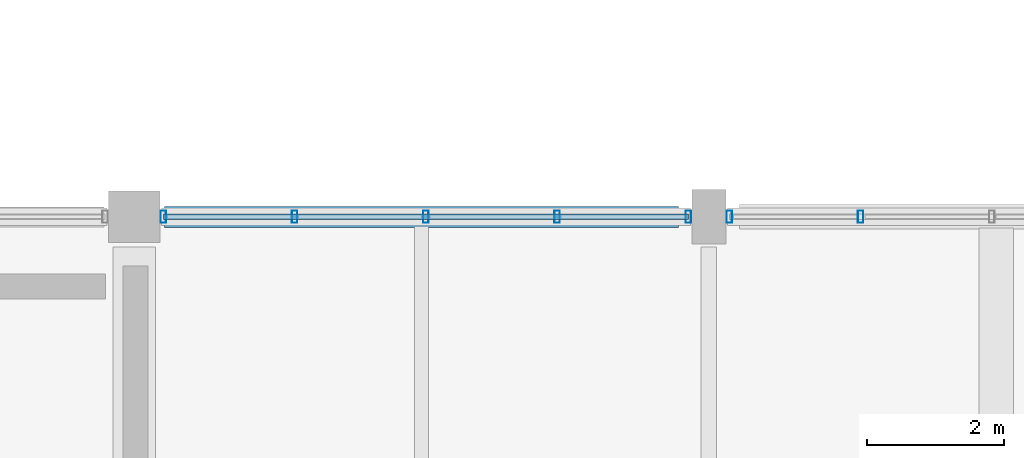
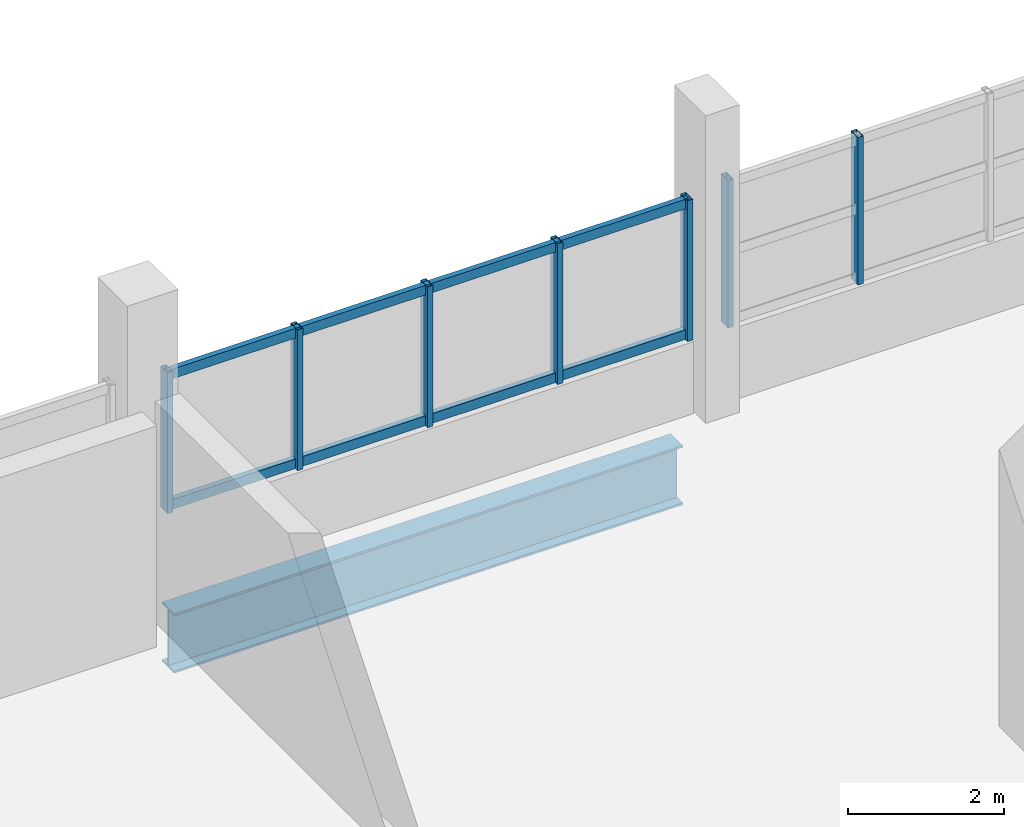
# One storey, part 70 of 117: 9 members, 1 beam, 2 elements without a shape of their own.
"""IFC4 building model written with IfcOpenShell, lengths in metres."""

from ifc_helpers import new_model, si_unit, direction, frame, origin, origin_2d, place, context, subcontext, project, spatial, hollow_rectangle, i_section, extrude, material, material_profile, profile_set, type_object, element, aggregate, save


model = new_model("IFC4")

# Units and contexts
model_context = context("Model", 3, precision=1e-05, world=origin(), true_north=direction((0.0, 1.0)))
body_context = subcontext(model_context, "Body", "Model", "MODEL_VIEW")
ifc_project = project(units=[si_unit("LENGTHUNIT", "METRE"), si_unit("AREAUNIT", "SQUARE_METRE"), si_unit("VOLUMEUNIT", "CUBIC_METRE"), si_unit("PLANEANGLEUNIT", "RADIAN"), si_unit("MASSUNIT", "GRAM", prefix="KILO")], contexts=[model_context])

# Site, building, storey
site_placement = place(None, origin())
site = spatial("IfcSite", under=ifc_project, at=site_placement, CompositionType="ELEMENT")
building_placement = place(site_placement, origin())
building = spatial("IfcBuilding", under=site, at=building_placement, Name="Solvento Point Concert Hall", CompositionType="ELEMENT")
storey_placement = place(building_placement, frame((0.0, 0.0, 5.39990234375)))
storey = spatial("IfcBuildingStorey", under=building, at=storey_placement, Name="L01", CompositionType="ELEMENT", Elevation=5.39990234375)

# Beam
ifc_material_1 = material(Name="Structural Steel ASTM A992 Grade 50", Category="steel")
ifc_material_profile_1 = material_profile(ifc_material_1, i_section(OverallWidth=0.3076171875, OverallDepth=0.927001953125, WebThickness=0.019287109375, FlangeThickness=0.031982421875, at=origin_2d()), Name="W36X194")
ifc_profile_set_1 = profile_set([ifc_material_profile_1], Name="Structural Steel ASTM A992 Grade 50")
beam_type = type_object("IfcBeamType", Name="Girder_W36X194", PredefinedType="USERDEFINED", material=ifc_profile_set_1)
beam_placement = place(storey_placement, frame((192.444091796875, 25.5, -0.887451171875), z_axis=(1.0, 0.0, 0.0), x_axis=(0.0, 1.0, 0.0)))
element("IfcBeam", 1, at=beam_placement, inside=storey, type_object=beam_type, Name="Primary girder B-61 L01", ObjectType="GIRDER", PredefinedType="USERDEFINED", context=body_context, shape_type="SweptSolid", body=[
    extrude(i_section(OverallWidth=0.3076171875, OverallDepth=0.927001953125, WebThickness=0.019287109375, FlangeThickness=0.031982421875, at=origin_2d()), origin(), (0.0, 0.0, 1.0), 7.511962890625),
])

# Curtain wall, members
ifc_material_2 = material(Name="Anodized Bronze Aluminium", Category="aluminium")
curtain_wall_type = type_object("IfcCurtainWallType", Name="CurtainWall_ChamberCircle", PredefinedType="USERDEFINED", material=ifc_material_2)
curtain_wall_1_placement = place(storey_placement, origin())
curtain_wall_1 = element("IfcCurtainWall", 2, at=curtain_wall_1_placement, inside=storey, type_object=curtain_wall_type, Name="Unitised curtain wall CW-32 UCW-L01-081", ObjectType="UNITISED CURTAIN WALL", PredefinedType="USERDEFINED")
ifc_material_3 = material(Name="Anodized Bronze Aluminium", Category="aluminium")
ifc_material_profile_2 = material_profile(ifc_material_3, hollow_rectangle(XDim=0.080078125, YDim=0.179931640625, WallThickness=0.00390625, at=origin_2d()), Name="CW-MUL-80X180")
ifc_profile_set_2 = profile_set([ifc_material_profile_2], Name="Anodized Bronze Aluminium")
member_type_1 = type_object("IfcMemberType", Name="Mullion_80x180", PredefinedType="MULLION", material=ifc_profile_set_2)
member_1_placement = place(storey_placement, frame((192.425048828125, 25.5, 1.1201171875), z_axis=(0.0, 0.0, 1.0), x_axis=(1.0, 0.0, 0.0)))
member_1 = element("IfcMember", 3, at=member_1_placement, type_object=member_type_1, Name="Curtain wall mullion ML-01", PredefinedType="MULLION", context=body_context, shape_type="SweptSolid", body=[
    extrude(hollow_rectangle(XDim=0.080078125, YDim=0.179931640625, WallThickness=0.00390625, at=origin_2d()), origin(), (0.0, 0.0, 1.0), 2.197998046875),
])
member_2_placement = place(storey_placement, frame((194.34375, 25.5, 1.1201171875), z_axis=(0.0, 0.0, 1.0), x_axis=(1.0, 0.0, 0.0)))
member_2 = element("IfcMember", 4, at=member_2_placement, type_object=member_type_1, Name="Curtain wall mullion ML-01", PredefinedType="MULLION", context=body_context, shape_type="SweptSolid", body=[
    extrude(hollow_rectangle(XDim=0.080078125, YDim=0.179931640625, WallThickness=0.00390625, at=origin_2d()), origin(), (0.0, 0.0, 1.0), 2.197998046875),
])
member_3_placement = place(storey_placement, frame((196.262451171875, 25.5, 1.1201171875), z_axis=(0.0, 0.0, 1.0), x_axis=(1.0, 0.0, 0.0)))
member_3 = element("IfcMember", 5, at=member_3_placement, type_object=member_type_1, Name="Curtain wall mullion ML-01", PredefinedType="MULLION", context=body_context, shape_type="SweptSolid", body=[
    extrude(hollow_rectangle(XDim=0.080078125, YDim=0.179931640625, WallThickness=0.00390625, at=origin_2d()), origin(), (0.0, 0.0, 1.0), 2.197998046875),
])
member_4_placement = place(storey_placement, frame((198.181396484375, 25.5, 1.1201171875), z_axis=(0.0, 0.0, 1.0), x_axis=(1.0, 0.0, 0.0)))
member_4 = element("IfcMember", 6, at=member_4_placement, type_object=member_type_1, Name="Curtain wall mullion ML-01", PredefinedType="MULLION", context=body_context, shape_type="SweptSolid", body=[
    extrude(hollow_rectangle(XDim=0.080078125, YDim=0.179931640625, WallThickness=0.00390625, at=origin_2d()), origin(), (0.0, 0.0, 1.0), 2.197998046875),
])
member_5_placement = place(storey_placement, frame((200.10009765625, 25.5, 1.1201171875), z_axis=(0.0, 0.0, 1.0), x_axis=(1.0, 0.0, 0.0)))
member_5 = element("IfcMember", 7, at=member_5_placement, type_object=member_type_1, Name="Curtain wall mullion ML-01", PredefinedType="MULLION", context=body_context, shape_type="SweptSolid", body=[
    extrude(hollow_rectangle(XDim=0.080078125, YDim=0.179931640625, WallThickness=0.00390625, at=origin_2d()), origin(), (0.0, 0.0, 1.0), 2.197998046875),
])

curtain_wall_2_placement = place(storey_placement, origin())
curtain_wall_2 = element("IfcCurtainWall", 8, at=curtain_wall_2_placement, inside=storey, type_object=curtain_wall_type, Name="Unitised curtain wall CW-32 UCW-L01-082", ObjectType="UNITISED CURTAIN WALL", PredefinedType="USERDEFINED")
member_6_placement = place(storey_placement, frame((200.699951171875, 25.5, 1.1201171875), z_axis=(0.0, 0.0, 1.0), x_axis=(1.0, 0.0, 0.0)))
member_6 = element("IfcMember", 9, at=member_6_placement, type_object=member_type_1, Name="Curtain wall mullion ML-01", PredefinedType="MULLION", context=body_context, shape_type="SweptSolid", body=[
    extrude(hollow_rectangle(XDim=0.080078125, YDim=0.179931640625, WallThickness=0.00390625, at=origin_2d()), origin(), (0.0, 0.0, 1.0), 2.303955078125),
])
member_7_placement = place(storey_placement, frame((202.61865234375, 25.5, 1.1201171875), z_axis=(0.0, 0.0, 1.0), x_axis=(1.0, 0.0, 0.0)))
member_7 = element("IfcMember", 10, at=member_7_placement, type_object=member_type_1, Name="Curtain wall mullion ML-01", PredefinedType="MULLION", context=body_context, shape_type="SweptSolid", body=[
    extrude(hollow_rectangle(XDim=0.080078125, YDim=0.179931640625, WallThickness=0.00390625, at=origin_2d()), origin(), (0.0, 0.0, 1.0), 2.303955078125),
])
aggregate(curtain_wall_2, [member_6, member_7])

# Member
ifc_material_4 = material(Name="Anodized Bronze Aluminium", Category="aluminium")
ifc_material_profile_3 = material_profile(ifc_material_4, hollow_rectangle(XDim=0.080078125, YDim=0.14990234375, WallThickness=0.00390625, at=origin_2d()), Name="CW-TRN-80X150")
ifc_profile_set_3 = profile_set([ifc_material_profile_3], Name="Anodized Bronze Aluminium")
member_type_2 = type_object("IfcMemberType", Name="Transom_80x150", PredefinedType="USERDEFINED", material=ifc_profile_set_3)
member_8_placement = place(storey_placement, frame((192.425048828125, 25.5, 1.2001953125), z_axis=(1.0, 0.0, 0.0), x_axis=(0.0, 1.0, 0.0)))
member_8 = element("IfcMember", 11, at=member_8_placement, type_object=member_type_2, Name="Curtain wall transom TR-01", ObjectType="TRANSOM", PredefinedType="USERDEFINED", context=body_context, shape_type="SweptSolid", body=[
    extrude(hollow_rectangle(XDim=0.080078125, YDim=0.14990234375, WallThickness=0.00390625, at=origin_2d()), origin(), (0.0, 0.0, 1.0), 7.675048828125),
])

member_9_placement = place(storey_placement, frame((192.425048828125, 25.5, 3.238037109375), z_axis=(1.0, 0.0, 0.0), x_axis=(0.0, 1.0, 0.0)))
member_9 = element("IfcMember", 12, at=member_9_placement, type_object=member_type_2, Name="Curtain wall transom TR-01", ObjectType="TRANSOM", PredefinedType="USERDEFINED", context=body_context, shape_type="SweptSolid", body=[
    extrude(hollow_rectangle(XDim=0.080078125, YDim=0.14990234375, WallThickness=0.00390625, at=origin_2d()), origin(), (0.0, 0.0, 1.0), 7.675048828125),
])

aggregate(curtain_wall_1, [member_1, member_2, member_3, member_4, member_5, member_8, member_9])

save(model, "model.ifc")
